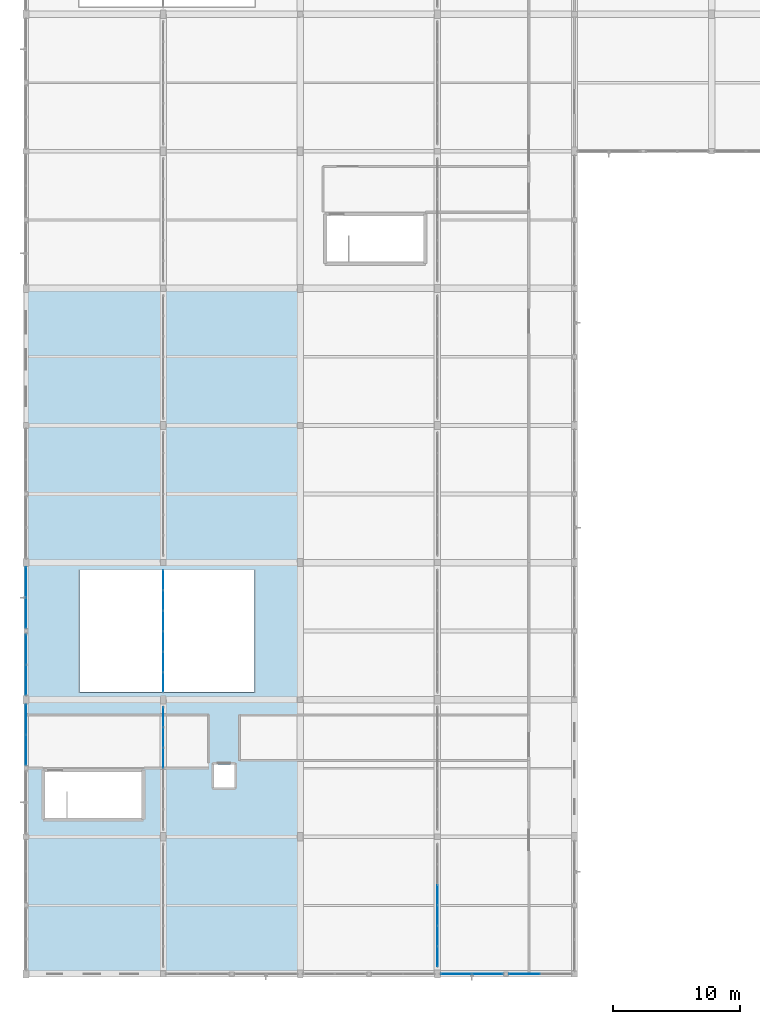
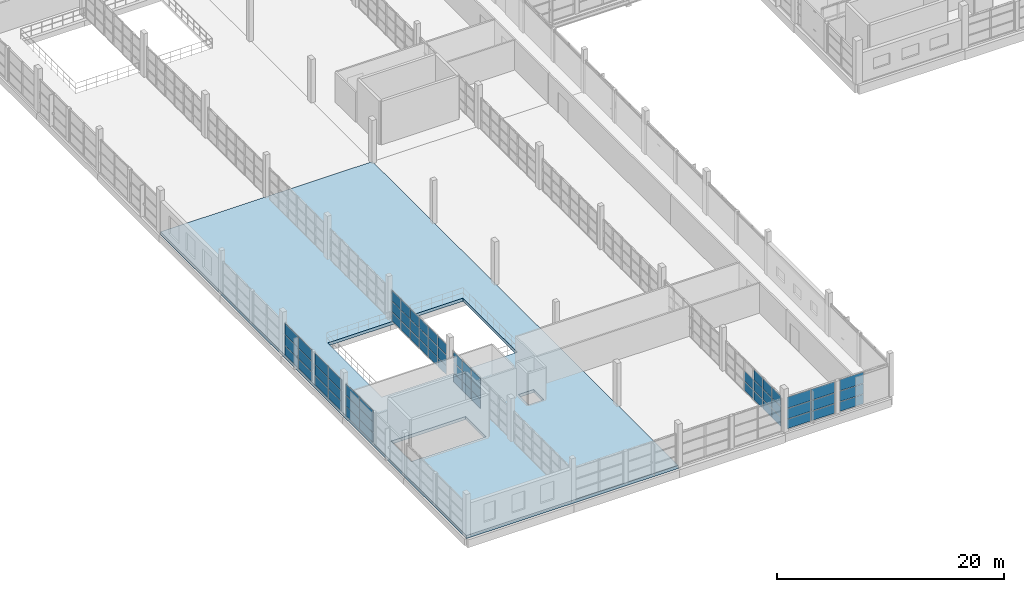
# One storey, part 81 of 142: 65 plates, 1 slab, 8 elements without a shape of their own.
"""IFC4 building model written with IfcOpenShell, lengths in metres."""

from ifc_helpers import new_model, si_unit, direction, frame, origin, origin_2d, place, context, subcontext, project, spatial, polyline, rectangle, outline, extrude, material, layer, layer_set, type_object, element, aggregate, save


model = new_model("IFC4")

# Units and contexts
model_context = context("Model", 3, precision=1e-05, world=origin(), true_north=direction((0.0, 1.0)))
body_context = subcontext(model_context, "Body", "Model", "MODEL_VIEW")
ifc_project = project(units=[si_unit("LENGTHUNIT", "METRE"), si_unit("AREAUNIT", "SQUARE_METRE"), si_unit("VOLUMEUNIT", "CUBIC_METRE"), si_unit("PLANEANGLEUNIT", "RADIAN"), si_unit("MASSUNIT", "GRAM", prefix="KILO")], contexts=[model_context])

# Site, building, storey
site_placement = place(None, origin())
site = spatial("IfcSite", under=ifc_project, at=site_placement, CompositionType="ELEMENT")
building_placement = place(site_placement, origin())
building = spatial("IfcBuilding", under=site, at=building_placement, Name="Zwinboog Wholesale Market", CompositionType="ELEMENT")
storey_placement = place(building_placement, frame((0.0, 0.0, 5.39990234375)))
storey = spatial("IfcBuildingStorey", under=building, at=storey_placement, Name="L01", CompositionType="ELEMENT", Elevation=5.39990234375)

# Slab
ifc_material_1 = material(Name="Precast concrete C45/55", Category="concrete")
ifc_layer_1 = layer(ifc_material_1, 0.33203125)
ifc_layer_set_1 = layer_set([ifc_layer_1], Name="Precast concrete C45/55")
slab_type = type_object("IfcSlabType", Name="SLT-FL-332", PredefinedType="FLOOR", material=ifc_layer_set_1)
slab_placement = place(storey_placement, frame((0.0, 0.0, -0.331787109375)))
element("IfcSlab", 1, at=slab_placement, inside=storey, type_object=slab_type, Name="SF-332 (SLB-L01-030)", PredefinedType="FLOOR", context=body_context, shape_type="SweptSolid", body=[
    extrude(outline(polyline([(0.0, 0.0), (21.60009765625, 0.0), (21.60009765625, 54.0), (0.0, 54.0), (0.0, 0.0)]), holes=[polyline([(4.199951171875, 22.199951171875), (18.0, 22.199951171875), (18.0, 31.800048828125), (4.199951171875, 31.800048828125), (4.199951171875, 22.199951171875)]), polyline([(1.5, 12.300048828125), (9.10009765625, 12.300048828125), (9.10009765625, 15.89990234375), (1.5, 15.89990234375), (1.5, 12.300048828125)]), polyline([(14.800048828125, 14.699951171875), (16.39990234375, 14.699951171875), (16.39990234375, 16.5), (14.800048828125, 16.5), (14.800048828125, 14.699951171875)])]), origin(), (0.0, 0.0, 1.0), 0.331787109375),
])

# Curtain wall, plates
ifc_material_2 = material(Name="Aluminium thermally broken curtain wall", Category="aluminium")
curtain_wall_type_1 = type_object("IfcCurtainWallType", Name="CWT-GAL-16", PredefinedType="USERDEFINED", material=ifc_material_2)
curtain_wall_1_placement = place(storey_placement, origin())
curtain_wall_1 = element("IfcCurtainWall", 2, at=curtain_wall_1_placement, inside=storey, type_object=curtain_wall_type_1, Name="CW-04 (CW-L01-052)", ObjectType="UNITIZED_CURTAIN_WALL", PredefinedType="USERDEFINED")
ifc_material_3 = material(Name="Double low-e insulated glazing", Category="glass")
ifc_layer_2 = layer(ifc_material_3, 0.031982421875)
ifc_layer_set_2 = layer_set([ifc_layer_2], Name="Double low-e insulated glazing")
plate_type_1 = type_object("IfcPlateType", Name="CWP-IGU-32", PredefinedType="CURTAIN_PANEL", material=ifc_layer_set_2)
plate_1_placement = place(storey_placement, frame((0.0, 17.635009765625, 0.06005859375), z_axis=(0.0, 0.0, 1.0), x_axis=(0.0, 1.0, 0.0)))
plate_1 = element("IfcPlate", 3, at=plate_1_placement, type_object=plate_type_1, Name="CW-04 panel 1.1", PredefinedType="CURTAIN_PANEL", context=body_context, shape_type="SweptSolid", body=[
    extrude(rectangle(XDim=2.35009765625, YDim=0.031982421875, at=origin_2d()), origin(), (0.0, 0.0, 1.0), 1.010009765625),
])
plate_2_placement = place(storey_placement, frame((0.0, 17.635009765625, 1.1298828125), z_axis=(0.0, 0.0, 1.0), x_axis=(0.0, 1.0, 0.0)))
plate_2 = element("IfcPlate", 4, at=plate_2_placement, type_object=plate_type_1, Name="CW-04 panel 1.2", PredefinedType="CURTAIN_PANEL", context=body_context, shape_type="SweptSolid", body=[
    extrude(rectangle(XDim=2.35009765625, YDim=0.031982421875, at=origin_2d()), origin(), (0.0, 0.0, 1.0), 1.090087890625),
])
plate_3_placement = place(storey_placement, frame((0.0, 17.635009765625, 2.280029296875), z_axis=(0.0, 0.0, 1.0), x_axis=(0.0, 1.0, 0.0)))
plate_3 = element("IfcPlate", 5, at=plate_3_placement, type_object=plate_type_1, Name="CW-04 panel 1.3", PredefinedType="CURTAIN_PANEL", context=body_context, shape_type="SweptSolid", body=[
    extrude(rectangle(XDim=2.35009765625, YDim=0.031982421875, at=origin_2d()), origin(), (0.0, 0.0, 1.0), 1.18994140625),
])
plate_4_placement = place(storey_placement, frame((0.0, 20.044921875, 0.06005859375), z_axis=(0.0, 0.0, 1.0), x_axis=(0.0, 1.0, 0.0)))
plate_4 = element("IfcPlate", 6, at=plate_4_placement, type_object=plate_type_1, Name="CW-04 panel 2.1", PredefinedType="CURTAIN_PANEL", context=body_context, shape_type="SweptSolid", body=[
    extrude(rectangle(XDim=2.35009765625, YDim=0.031982421875, at=origin_2d()), origin(), (0.0, 0.0, 1.0), 1.010009765625),
])
plate_5_placement = place(storey_placement, frame((0.0, 20.044921875, 1.1298828125), z_axis=(0.0, 0.0, 1.0), x_axis=(0.0, 1.0, 0.0)))
plate_5 = element("IfcPlate", 7, at=plate_5_placement, type_object=plate_type_1, Name="CW-04 panel 2.2", PredefinedType="CURTAIN_PANEL", context=body_context, shape_type="SweptSolid", body=[
    extrude(rectangle(XDim=2.35009765625, YDim=0.031982421875, at=origin_2d()), origin(), (0.0, 0.0, 1.0), 1.090087890625),
])
plate_6_placement = place(storey_placement, frame((0.0, 20.044921875, 2.280029296875), z_axis=(0.0, 0.0, 1.0), x_axis=(0.0, 1.0, 0.0)))
plate_6 = element("IfcPlate", 8, at=plate_6_placement, type_object=plate_type_1, Name="CW-04 panel 2.3", PredefinedType="CURTAIN_PANEL", context=body_context, shape_type="SweptSolid", body=[
    extrude(rectangle(XDim=2.35009765625, YDim=0.031982421875, at=origin_2d()), origin(), (0.0, 0.0, 1.0), 1.18994140625),
])
aggregate(curtain_wall_1, [plate_1, plate_2, plate_3, plate_4, plate_5, plate_6])

curtain_wall_type_2 = type_object("IfcCurtainWallType", Name="CWT-CAFE-22", PredefinedType="USERDEFINED", material=ifc_material_2)
curtain_wall_2_placement = place(storey_placement, origin())
curtain_wall_2 = element("IfcCurtainWall", 9, at=curtain_wall_2_placement, inside=storey, type_object=curtain_wall_type_2, Name="CW-05 (CW-L01-053)", ObjectType="STOREFRONT_GLAZING", PredefinedType="USERDEFINED")
plate_7_placement = place(storey_placement, frame((0.0, 23.15625, 0.065185546875), z_axis=(0.0, 0.0, 1.0), x_axis=(0.0, 1.0, 0.0)))
plate_7 = element("IfcPlate", 10, at=plate_7_placement, type_object=plate_type_1, Name="CW-05 panel 1.1", PredefinedType="CURTAIN_PANEL", context=body_context, shape_type="SweptSolid", body=[
    extrude(rectangle(XDim=2.342529296875, YDim=0.031982421875, at=origin_2d()), origin(), (0.0, 0.0, 1.0), 1.00244140625),
])
plate_8_placement = place(storey_placement, frame((0.0, 23.15625, 1.132568359375), z_axis=(0.0, 0.0, 1.0), x_axis=(0.0, 1.0, 0.0)))
plate_8 = element("IfcPlate", 11, at=plate_8_placement, type_object=plate_type_1, Name="CW-05 panel 1.2", PredefinedType="CURTAIN_PANEL", context=body_context, shape_type="SweptSolid", body=[
    extrude(rectangle(XDim=2.342529296875, YDim=0.031982421875, at=origin_2d()), origin(), (0.0, 0.0, 1.0), 1.0849609375),
])
plate_9_placement = place(storey_placement, frame((0.0, 23.15625, 2.282470703125), z_axis=(0.0, 0.0, 1.0), x_axis=(0.0, 1.0, 0.0)))
plate_9 = element("IfcPlate", 12, at=plate_9_placement, type_object=plate_type_1, Name="CW-05 panel 1.3", PredefinedType="CURTAIN_PANEL", context=body_context, shape_type="SweptSolid", body=[
    extrude(rectangle(XDim=2.342529296875, YDim=0.031982421875, at=origin_2d()), origin(), (0.0, 0.0, 1.0), 1.1826171875),
])
plate_10_placement = place(storey_placement, frame((0.0, 25.563720703125, 0.065185546875), z_axis=(0.0, 0.0, 1.0), x_axis=(0.0, 1.0, 0.0)))
plate_10 = element("IfcPlate", 13, at=plate_10_placement, type_object=plate_type_1, Name="CW-05 panel 2.1", PredefinedType="CURTAIN_PANEL", context=body_context, shape_type="SweptSolid", body=[
    extrude(rectangle(XDim=2.342529296875, YDim=0.031982421875, at=origin_2d()), origin(), (0.0, 0.0, 1.0), 1.00244140625),
])
plate_11_placement = place(storey_placement, frame((0.0, 25.563720703125, 1.132568359375), z_axis=(0.0, 0.0, 1.0), x_axis=(0.0, 1.0, 0.0)))
plate_11 = element("IfcPlate", 14, at=plate_11_placement, type_object=plate_type_1, Name="CW-05 panel 2.2", PredefinedType="CURTAIN_PANEL", context=body_context, shape_type="SweptSolid", body=[
    extrude(rectangle(XDim=2.342529296875, YDim=0.031982421875, at=origin_2d()), origin(), (0.0, 0.0, 1.0), 1.0849609375),
])
plate_12_placement = place(storey_placement, frame((0.0, 25.563720703125, 2.282470703125), z_axis=(0.0, 0.0, 1.0), x_axis=(0.0, 1.0, 0.0)))
plate_12 = element("IfcPlate", 15, at=plate_12_placement, type_object=plate_type_1, Name="CW-05 panel 2.3", PredefinedType="CURTAIN_PANEL", context=body_context, shape_type="SweptSolid", body=[
    extrude(rectangle(XDim=2.342529296875, YDim=0.031982421875, at=origin_2d()), origin(), (0.0, 0.0, 1.0), 1.1826171875),
])
aggregate(curtain_wall_2, [plate_7, plate_8, plate_9, plate_10, plate_11, plate_12])

curtain_wall_type_3 = type_object("IfcCurtainWallType", Name="CWT-OFF-15", PredefinedType="USERDEFINED", material=ifc_material_2)
curtain_wall_3_placement = place(storey_placement, origin())
curtain_wall_3 = element("IfcCurtainWall", 16, at=curtain_wall_3_placement, inside=storey, type_object=curtain_wall_type_3, Name="CW-06 (CW-L01-054)", ObjectType="UNITIZED_CURTAIN_WALL", PredefinedType="USERDEFINED")
plate_13_placement = place(storey_placement, frame((0.0, 28.43505859375, 0.06005859375), z_axis=(0.0, 0.0, 1.0), x_axis=(0.0, 1.0, 0.0)))
plate_13 = element("IfcPlate", 17, at=plate_13_placement, type_object=plate_type_1, Name="CW-06 panel 1.1", PredefinedType="CURTAIN_PANEL", context=body_context, shape_type="SweptSolid", body=[
    extrude(rectangle(XDim=2.35009765625, YDim=0.031982421875, at=origin_2d()), origin(), (0.0, 0.0, 1.0), 1.010009765625),
])
plate_14_placement = place(storey_placement, frame((0.0, 28.43505859375, 1.1298828125), z_axis=(0.0, 0.0, 1.0), x_axis=(0.0, 1.0, 0.0)))
plate_14 = element("IfcPlate", 18, at=plate_14_placement, type_object=plate_type_1, Name="CW-06 panel 1.2", PredefinedType="CURTAIN_PANEL", context=body_context, shape_type="SweptSolid", body=[
    extrude(rectangle(XDim=2.35009765625, YDim=0.031982421875, at=origin_2d()), origin(), (0.0, 0.0, 1.0), 1.090087890625),
])
plate_15_placement = place(storey_placement, frame((0.0, 28.43505859375, 2.280029296875), z_axis=(0.0, 0.0, 1.0), x_axis=(0.0, 1.0, 0.0)))
plate_15 = element("IfcPlate", 19, at=plate_15_placement, type_object=plate_type_1, Name="CW-06 panel 1.3", PredefinedType="CURTAIN_PANEL", context=body_context, shape_type="SweptSolid", body=[
    extrude(rectangle(XDim=2.35009765625, YDim=0.031982421875, at=origin_2d()), origin(), (0.0, 0.0, 1.0), 1.18994140625),
])
plate_16_placement = place(storey_placement, frame((0.0, 30.844970703125, 0.06005859375), z_axis=(0.0, 0.0, 1.0), x_axis=(0.0, 1.0, 0.0)))
plate_16 = element("IfcPlate", 20, at=plate_16_placement, type_object=plate_type_1, Name="CW-06 panel 2.1", PredefinedType="CURTAIN_PANEL", context=body_context, shape_type="SweptSolid", body=[
    extrude(rectangle(XDim=2.35009765625, YDim=0.031982421875, at=origin_2d()), origin(), (0.0, 0.0, 1.0), 1.010009765625),
])
plate_17_placement = place(storey_placement, frame((0.0, 30.844970703125, 1.1298828125), z_axis=(0.0, 0.0, 1.0), x_axis=(0.0, 1.0, 0.0)))
plate_17 = element("IfcPlate", 21, at=plate_17_placement, type_object=plate_type_1, Name="CW-06 panel 2.2", PredefinedType="CURTAIN_PANEL", context=body_context, shape_type="SweptSolid", body=[
    extrude(rectangle(XDim=2.35009765625, YDim=0.031982421875, at=origin_2d()), origin(), (0.0, 0.0, 1.0), 1.090087890625),
])
plate_18_placement = place(storey_placement, frame((0.0, 30.844970703125, 2.280029296875), z_axis=(0.0, 0.0, 1.0), x_axis=(0.0, 1.0, 0.0)))
plate_18 = element("IfcPlate", 22, at=plate_18_placement, type_object=plate_type_1, Name="CW-06 panel 2.3", PredefinedType="CURTAIN_PANEL", context=body_context, shape_type="SweptSolid", body=[
    extrude(rectangle(XDim=2.35009765625, YDim=0.031982421875, at=origin_2d()), origin(), (0.0, 0.0, 1.0), 1.18994140625),
])
aggregate(curtain_wall_3, [plate_13, plate_14, plate_15, plate_16, plate_17, plate_18])

curtain_wall_type_4 = type_object("IfcCurtainWallType", Name="CWT-HALL-24", PredefinedType="USERDEFINED", material=ifc_material_2)
curtain_wall_4_placement = place(storey_placement, origin())
curtain_wall_4 = element("IfcCurtainWall", 23, at=curtain_wall_4_placement, inside=storey, type_object=curtain_wall_type_4, Name="CW-03 (CW-L01-069)", ObjectType="UNITIZED_CURTAIN_WALL", PredefinedType="USERDEFINED")
plate_19_placement = place(storey_placement, frame((33.88134765625, 0.0, 0.065185546875), z_axis=(0.0, 0.0, 1.0), x_axis=(1.0, 0.0, 0.0)))
plate_19 = element("IfcPlate", 24, at=plate_19_placement, type_object=plate_type_1, Name="CW-03 panel 1.1", PredefinedType="CURTAIN_PANEL", context=body_context, shape_type="SweptSolid", body=[
    extrude(rectangle(XDim=2.392578125, YDim=0.031982421875, at=origin_2d()), origin(), (0.0, 0.0, 1.0), 1.00244140625),
])
plate_20_placement = place(storey_placement, frame((33.88134765625, 0.0, 1.132568359375), z_axis=(0.0, 0.0, 1.0), x_axis=(1.0, 0.0, 0.0)))
plate_20 = element("IfcPlate", 25, at=plate_20_placement, type_object=plate_type_1, Name="CW-03 panel 1.2", PredefinedType="CURTAIN_PANEL", context=body_context, shape_type="SweptSolid", body=[
    extrude(rectangle(XDim=2.392578125, YDim=0.031982421875, at=origin_2d()), origin(), (0.0, 0.0, 1.0), 1.0849609375),
])
plate_21_placement = place(storey_placement, frame((33.88134765625, 0.0, 2.282470703125), z_axis=(0.0, 0.0, 1.0), x_axis=(1.0, 0.0, 0.0)))
plate_21 = element("IfcPlate", 26, at=plate_21_placement, type_object=plate_type_1, Name="CW-03 panel 1.3", PredefinedType="CURTAIN_PANEL", context=body_context, shape_type="SweptSolid", body=[
    extrude(rectangle(XDim=2.392578125, YDim=0.031982421875, at=origin_2d()), origin(), (0.0, 0.0, 1.0), 1.1826171875),
])
plate_22_placement = place(storey_placement, frame((36.3388671875, 0.0, 0.065185546875), z_axis=(0.0, 0.0, 1.0), x_axis=(1.0, 0.0, 0.0)))
plate_22 = element("IfcPlate", 27, at=plate_22_placement, type_object=plate_type_1, Name="CW-03 panel 2.1", PredefinedType="CURTAIN_PANEL", context=body_context, shape_type="SweptSolid", body=[
    extrude(rectangle(XDim=2.392578125, YDim=0.031982421875, at=origin_2d()), origin(), (0.0, 0.0, 1.0), 1.00244140625),
])
plate_23_placement = place(storey_placement, frame((36.3388671875, 0.0, 1.132568359375), z_axis=(0.0, 0.0, 1.0), x_axis=(1.0, 0.0, 0.0)))
plate_23 = element("IfcPlate", 28, at=plate_23_placement, type_object=plate_type_1, Name="CW-03 panel 2.2", PredefinedType="CURTAIN_PANEL", context=body_context, shape_type="SweptSolid", body=[
    extrude(rectangle(XDim=2.392578125, YDim=0.031982421875, at=origin_2d()), origin(), (0.0, 0.0, 1.0), 1.0849609375),
])
plate_24_placement = place(storey_placement, frame((36.3388671875, 0.0, 2.282470703125), z_axis=(0.0, 0.0, 1.0), x_axis=(1.0, 0.0, 0.0)))
plate_24 = element("IfcPlate", 29, at=plate_24_placement, type_object=plate_type_1, Name="CW-03 panel 2.3", PredefinedType="CURTAIN_PANEL", context=body_context, shape_type="SweptSolid", body=[
    extrude(rectangle(XDim=2.392578125, YDim=0.031982421875, at=origin_2d()), origin(), (0.0, 0.0, 1.0), 1.1826171875),
])
aggregate(curtain_wall_4, [plate_19, plate_20, plate_21, plate_22, plate_23, plate_24])

curtain_wall_5_placement = place(storey_placement, origin())
curtain_wall_5 = element("IfcCurtainWall", 30, at=curtain_wall_5_placement, inside=storey, type_object=curtain_wall_type_1, Name="CW-04 (CW-L01-070)", ObjectType="UNITIZED_CURTAIN_WALL", PredefinedType="USERDEFINED")
plate_25_placement = place(storey_placement, frame((39.260009765625, 0.0, 0.06005859375), z_axis=(0.0, 0.0, 1.0), x_axis=(1.0, 0.0, 0.0)))
plate_25 = element("IfcPlate", 31, at=plate_25_placement, type_object=plate_type_1, Name="CW-04 panel 1.1", PredefinedType="CURTAIN_PANEL", context=body_context, shape_type="SweptSolid", body=[
    extrude(rectangle(XDim=2.39990234375, YDim=0.031982421875, at=origin_2d()), origin(), (0.0, 0.0, 1.0), 1.010009765625),
])
plate_26_placement = place(storey_placement, frame((39.260009765625, 0.0, 1.1298828125), z_axis=(0.0, 0.0, 1.0), x_axis=(1.0, 0.0, 0.0)))
plate_26 = element("IfcPlate", 32, at=plate_26_placement, type_object=plate_type_1, Name="CW-04 panel 1.2", PredefinedType="CURTAIN_PANEL", context=body_context, shape_type="SweptSolid", body=[
    extrude(rectangle(XDim=2.39990234375, YDim=0.031982421875, at=origin_2d()), origin(), (0.0, 0.0, 1.0), 1.090087890625),
])
plate_27_placement = place(storey_placement, frame((39.260009765625, 0.0, 2.280029296875), z_axis=(0.0, 0.0, 1.0), x_axis=(1.0, 0.0, 0.0)))
plate_27 = element("IfcPlate", 33, at=plate_27_placement, type_object=plate_type_1, Name="CW-04 panel 1.3", PredefinedType="CURTAIN_PANEL", context=body_context, shape_type="SweptSolid", body=[
    extrude(rectangle(XDim=2.39990234375, YDim=0.031982421875, at=origin_2d()), origin(), (0.0, 0.0, 1.0), 1.18994140625),
])
aggregate(curtain_wall_5, [plate_25, plate_26, plate_27])

curtain_wall_type_5 = type_object("IfcCurtainWallType", Name="CWT-INT-STALL", PredefinedType="USERDEFINED", material=ifc_material_2)
curtain_wall_6_placement = place(storey_placement, origin())
curtain_wall_6 = element("IfcCurtainWall", 34, at=curtain_wall_6_placement, inside=storey, type_object=curtain_wall_type_5, Name="CW-07 (CW-STL-256)", ObjectType="STOREFRONT_GLAZING", PredefinedType="USERDEFINED")
ifc_material_4 = material(Name="Tempered laminated market stall glazing", Category="glass")
ifc_layer_3 = layer(ifc_material_4, 0.01611328125)
ifc_layer_set_3 = layer_set([ifc_layer_3], Name="Tempered laminated market stall glazing")
plate_type_2 = type_object("IfcPlateType", Name="CWP-INT-16", PredefinedType="CURTAIN_PANEL", material=ifc_layer_set_3)
plate_28_placement = place(storey_placement, frame((10.800048828125, 17.00830078125, 0.06005859375), z_axis=(0.0, 0.0, 1.0), x_axis=(0.0, 1.0, 0.0)))
plate_28 = element("IfcPlate", 35, at=plate_28_placement, type_object=plate_type_2, Name="CW-07 panel 4.1", PredefinedType="CURTAIN_PANEL", context=body_context, shape_type="SweptSolid", body=[
    extrude(rectangle(XDim=1.556640625, YDim=0.01611328125, at=origin_2d()), origin(), (0.0, 0.0, 1.0), 0.9599609375),
])
plate_29_placement = place(storey_placement, frame((10.800048828125, 17.00830078125, 1.080078125), z_axis=(0.0, 0.0, 1.0), x_axis=(0.0, 1.0, 0.0)))
plate_29 = element("IfcPlate", 36, at=plate_29_placement, type_object=plate_type_2, Name="CW-07 panel 4.2", PredefinedType="CURTAIN_PANEL", context=body_context, shape_type="SweptSolid", body=[
    extrude(rectangle(XDim=1.556640625, YDim=0.01611328125, at=origin_2d()), origin(), (0.0, 0.0, 1.0), 1.090087890625),
])
plate_30_placement = place(storey_placement, frame((10.800048828125, 17.00830078125, 2.22998046875), z_axis=(0.0, 0.0, 1.0), x_axis=(0.0, 1.0, 0.0)))
plate_30 = element("IfcPlate", 37, at=plate_30_placement, type_object=plate_type_2, Name="CW-07 panel 4.3", PredefinedType="CURTAIN_PANEL", context=body_context, shape_type="SweptSolid", body=[
    extrude(rectangle(XDim=1.556640625, YDim=0.01611328125, at=origin_2d()), origin(), (0.0, 0.0, 1.0), 1.110107421875),
])
plate_31_placement = place(storey_placement, frame((10.800048828125, 18.625, 0.06005859375), z_axis=(0.0, 0.0, 1.0), x_axis=(0.0, 1.0, 0.0)))
plate_31 = element("IfcPlate", 38, at=plate_31_placement, type_object=plate_type_2, Name="CW-07 panel 5.1", PredefinedType="CURTAIN_PANEL", context=body_context, shape_type="SweptSolid", body=[
    extrude(rectangle(XDim=1.556640625, YDim=0.01611328125, at=origin_2d()), origin(), (0.0, 0.0, 1.0), 0.9599609375),
])
plate_32_placement = place(storey_placement, frame((10.800048828125, 18.625, 1.080078125), z_axis=(0.0, 0.0, 1.0), x_axis=(0.0, 1.0, 0.0)))
plate_32 = element("IfcPlate", 39, at=plate_32_placement, type_object=plate_type_2, Name="CW-07 panel 5.2", PredefinedType="CURTAIN_PANEL", context=body_context, shape_type="SweptSolid", body=[
    extrude(rectangle(XDim=1.556640625, YDim=0.01611328125, at=origin_2d()), origin(), (0.0, 0.0, 1.0), 1.090087890625),
])
plate_33_placement = place(storey_placement, frame((10.800048828125, 18.625, 2.22998046875), z_axis=(0.0, 0.0, 1.0), x_axis=(0.0, 1.0, 0.0)))
plate_33 = element("IfcPlate", 40, at=plate_33_placement, type_object=plate_type_2, Name="CW-07 panel 5.3", PredefinedType="CURTAIN_PANEL", context=body_context, shape_type="SweptSolid", body=[
    extrude(rectangle(XDim=1.556640625, YDim=0.01611328125, at=origin_2d()), origin(), (0.0, 0.0, 1.0), 1.110107421875),
])
plate_34_placement = place(storey_placement, frame((10.800048828125, 20.2265625, 0.06005859375), z_axis=(0.0, 0.0, 1.0), x_axis=(0.0, 1.0, 0.0)))
plate_34 = element("IfcPlate", 41, at=plate_34_placement, type_object=plate_type_2, Name="CW-07 panel 6.1", PredefinedType="CURTAIN_PANEL", context=body_context, shape_type="SweptSolid", body=[
    extrude(rectangle(XDim=1.526611328125, YDim=0.01611328125, at=origin_2d()), origin(), (0.0, 0.0, 1.0), 0.9599609375),
])
plate_35_placement = place(storey_placement, frame((10.800048828125, 20.2265625, 1.080078125), z_axis=(0.0, 0.0, 1.0), x_axis=(0.0, 1.0, 0.0)))
plate_35 = element("IfcPlate", 42, at=plate_35_placement, type_object=plate_type_2, Name="CW-07 panel 6.2", PredefinedType="CURTAIN_PANEL", context=body_context, shape_type="SweptSolid", body=[
    extrude(rectangle(XDim=1.526611328125, YDim=0.01611328125, at=origin_2d()), origin(), (0.0, 0.0, 1.0), 1.090087890625),
])
plate_36_placement = place(storey_placement, frame((10.800048828125, 20.2265625, 2.22998046875), z_axis=(0.0, 0.0, 1.0), x_axis=(0.0, 1.0, 0.0)))
plate_36 = element("IfcPlate", 43, at=plate_36_placement, type_object=plate_type_2, Name="CW-07 panel 6.3", PredefinedType="CURTAIN_PANEL", context=body_context, shape_type="SweptSolid", body=[
    extrude(rectangle(XDim=1.526611328125, YDim=0.01611328125, at=origin_2d()), origin(), (0.0, 0.0, 1.0), 1.110107421875),
])
aggregate(curtain_wall_6, [plate_28, plate_29, plate_30, plate_31, plate_32, plate_33, plate_34, plate_35, plate_36])

curtain_wall_7_placement = place(storey_placement, origin())
curtain_wall_7 = element("IfcCurtainWall", 44, at=curtain_wall_7_placement, inside=storey, type_object=curtain_wall_type_5, Name="CW-07 (CW-STL-257)", ObjectType="STOREFRONT_GLAZING", PredefinedType="USERDEFINED")
plate_37_placement = place(storey_placement, frame((10.800048828125, 22.973388671875, 0.06005859375), z_axis=(0.0, 0.0, 1.0), x_axis=(0.0, 1.0, 0.0)))
plate_37 = element("IfcPlate", 45, at=plate_37_placement, type_object=plate_type_2, Name="CW-07 panel 1.1", PredefinedType="CURTAIN_PANEL", context=body_context, shape_type="SweptSolid", body=[
    extrude(rectangle(XDim=1.526611328125, YDim=0.01611328125, at=origin_2d()), origin(), (0.0, 0.0, 1.0), 0.9599609375),
])
plate_38_placement = place(storey_placement, frame((10.800048828125, 22.973388671875, 1.080078125), z_axis=(0.0, 0.0, 1.0), x_axis=(0.0, 1.0, 0.0)))
plate_38 = element("IfcPlate", 46, at=plate_38_placement, type_object=plate_type_2, Name="CW-07 panel 1.2", PredefinedType="CURTAIN_PANEL", context=body_context, shape_type="SweptSolid", body=[
    extrude(rectangle(XDim=1.526611328125, YDim=0.01611328125, at=origin_2d()), origin(), (0.0, 0.0, 1.0), 1.090087890625),
])
plate_39_placement = place(storey_placement, frame((10.800048828125, 22.973388671875, 2.22998046875), z_axis=(0.0, 0.0, 1.0), x_axis=(0.0, 1.0, 0.0)))
plate_39 = element("IfcPlate", 47, at=plate_39_placement, type_object=plate_type_2, Name="CW-07 panel 1.3", PredefinedType="CURTAIN_PANEL", context=body_context, shape_type="SweptSolid", body=[
    extrude(rectangle(XDim=1.526611328125, YDim=0.01611328125, at=origin_2d()), origin(), (0.0, 0.0, 1.0), 1.110107421875),
])
plate_40_placement = place(storey_placement, frame((10.800048828125, 24.574951171875, 0.06005859375), z_axis=(0.0, 0.0, 1.0), x_axis=(0.0, 1.0, 0.0)))
plate_40 = element("IfcPlate", 48, at=plate_40_placement, type_object=plate_type_2, Name="CW-07 panel 2.1", PredefinedType="CURTAIN_PANEL", context=body_context, shape_type="SweptSolid", body=[
    extrude(rectangle(XDim=1.556640625, YDim=0.01611328125, at=origin_2d()), origin(), (0.0, 0.0, 1.0), 0.9599609375),
])
plate_41_placement = place(storey_placement, frame((10.800048828125, 24.574951171875, 1.080078125), z_axis=(0.0, 0.0, 1.0), x_axis=(0.0, 1.0, 0.0)))
plate_41 = element("IfcPlate", 49, at=plate_41_placement, type_object=plate_type_2, Name="CW-07 panel 2.2", PredefinedType="CURTAIN_PANEL", context=body_context, shape_type="SweptSolid", body=[
    extrude(rectangle(XDim=1.556640625, YDim=0.01611328125, at=origin_2d()), origin(), (0.0, 0.0, 1.0), 1.090087890625),
])
plate_42_placement = place(storey_placement, frame((10.800048828125, 24.574951171875, 2.22998046875), z_axis=(0.0, 0.0, 1.0), x_axis=(0.0, 1.0, 0.0)))
plate_42 = element("IfcPlate", 50, at=plate_42_placement, type_object=plate_type_2, Name="CW-07 panel 2.3", PredefinedType="CURTAIN_PANEL", context=body_context, shape_type="SweptSolid", body=[
    extrude(rectangle(XDim=1.556640625, YDim=0.01611328125, at=origin_2d()), origin(), (0.0, 0.0, 1.0), 1.110107421875),
])
plate_43_placement = place(storey_placement, frame((10.800048828125, 26.191650390625, 0.06005859375), z_axis=(0.0, 0.0, 1.0), x_axis=(0.0, 1.0, 0.0)))
plate_43 = element("IfcPlate", 51, at=plate_43_placement, type_object=plate_type_2, Name="CW-07 panel 3.1", PredefinedType="CURTAIN_PANEL", context=body_context, shape_type="SweptSolid", body=[
    extrude(rectangle(XDim=1.556640625, YDim=0.01611328125, at=origin_2d()), origin(), (0.0, 0.0, 1.0), 0.9599609375),
])
plate_44_placement = place(storey_placement, frame((10.800048828125, 26.191650390625, 1.080078125), z_axis=(0.0, 0.0, 1.0), x_axis=(0.0, 1.0, 0.0)))
plate_44 = element("IfcPlate", 52, at=plate_44_placement, type_object=plate_type_2, Name="CW-07 panel 3.2", PredefinedType="CURTAIN_PANEL", context=body_context, shape_type="SweptSolid", body=[
    extrude(rectangle(XDim=1.556640625, YDim=0.01611328125, at=origin_2d()), origin(), (0.0, 0.0, 1.0), 1.090087890625),
])
plate_45_placement = place(storey_placement, frame((10.800048828125, 26.191650390625, 2.22998046875), z_axis=(0.0, 0.0, 1.0), x_axis=(0.0, 1.0, 0.0)))
plate_45 = element("IfcPlate", 53, at=plate_45_placement, type_object=plate_type_2, Name="CW-07 panel 3.3", PredefinedType="CURTAIN_PANEL", context=body_context, shape_type="SweptSolid", body=[
    extrude(rectangle(XDim=1.556640625, YDim=0.01611328125, at=origin_2d()), origin(), (0.0, 0.0, 1.0), 1.110107421875),
])
plate_46_placement = place(storey_placement, frame((10.800048828125, 27.808349609375, 0.06005859375), z_axis=(0.0, 0.0, 1.0), x_axis=(0.0, 1.0, 0.0)))
plate_46 = element("IfcPlate", 54, at=plate_46_placement, type_object=plate_type_2, Name="CW-07 panel 4.1", PredefinedType="CURTAIN_PANEL", context=body_context, shape_type="SweptSolid", body=[
    extrude(rectangle(XDim=1.556640625, YDim=0.01611328125, at=origin_2d()), origin(), (0.0, 0.0, 1.0), 0.9599609375),
])
plate_47_placement = place(storey_placement, frame((10.800048828125, 27.808349609375, 1.080078125), z_axis=(0.0, 0.0, 1.0), x_axis=(0.0, 1.0, 0.0)))
plate_47 = element("IfcPlate", 55, at=plate_47_placement, type_object=plate_type_2, Name="CW-07 panel 4.2", PredefinedType="CURTAIN_PANEL", context=body_context, shape_type="SweptSolid", body=[
    extrude(rectangle(XDim=1.556640625, YDim=0.01611328125, at=origin_2d()), origin(), (0.0, 0.0, 1.0), 1.090087890625),
])
plate_48_placement = place(storey_placement, frame((10.800048828125, 27.808349609375, 2.22998046875), z_axis=(0.0, 0.0, 1.0), x_axis=(0.0, 1.0, 0.0)))
plate_48 = element("IfcPlate", 56, at=plate_48_placement, type_object=plate_type_2, Name="CW-07 panel 4.3", PredefinedType="CURTAIN_PANEL", context=body_context, shape_type="SweptSolid", body=[
    extrude(rectangle(XDim=1.556640625, YDim=0.01611328125, at=origin_2d()), origin(), (0.0, 0.0, 1.0), 1.110107421875),
])
plate_49_placement = place(storey_placement, frame((10.800048828125, 29.425048828125, 0.06005859375), z_axis=(0.0, 0.0, 1.0), x_axis=(0.0, 1.0, 0.0)))
plate_49 = element("IfcPlate", 57, at=plate_49_placement, type_object=plate_type_2, Name="CW-07 panel 5.1", PredefinedType="CURTAIN_PANEL", context=body_context, shape_type="SweptSolid", body=[
    extrude(rectangle(XDim=1.556640625, YDim=0.01611328125, at=origin_2d()), origin(), (0.0, 0.0, 1.0), 0.9599609375),
])
plate_50_placement = place(storey_placement, frame((10.800048828125, 29.425048828125, 1.080078125), z_axis=(0.0, 0.0, 1.0), x_axis=(0.0, 1.0, 0.0)))
plate_50 = element("IfcPlate", 58, at=plate_50_placement, type_object=plate_type_2, Name="CW-07 panel 5.2", PredefinedType="CURTAIN_PANEL", context=body_context, shape_type="SweptSolid", body=[
    extrude(rectangle(XDim=1.556640625, YDim=0.01611328125, at=origin_2d()), origin(), (0.0, 0.0, 1.0), 1.090087890625),
])
plate_51_placement = place(storey_placement, frame((10.800048828125, 29.425048828125, 2.22998046875), z_axis=(0.0, 0.0, 1.0), x_axis=(0.0, 1.0, 0.0)))
plate_51 = element("IfcPlate", 59, at=plate_51_placement, type_object=plate_type_2, Name="CW-07 panel 5.3", PredefinedType="CURTAIN_PANEL", context=body_context, shape_type="SweptSolid", body=[
    extrude(rectangle(XDim=1.556640625, YDim=0.01611328125, at=origin_2d()), origin(), (0.0, 0.0, 1.0), 1.110107421875),
])
plate_52_placement = place(storey_placement, frame((10.800048828125, 31.026611328125, 0.06005859375), z_axis=(0.0, 0.0, 1.0), x_axis=(0.0, 1.0, 0.0)))
plate_52 = element("IfcPlate", 60, at=plate_52_placement, type_object=plate_type_2, Name="CW-07 panel 6.1", PredefinedType="CURTAIN_PANEL", context=body_context, shape_type="SweptSolid", body=[
    extrude(rectangle(XDim=1.526611328125, YDim=0.01611328125, at=origin_2d()), origin(), (0.0, 0.0, 1.0), 0.9599609375),
])
plate_53_placement = place(storey_placement, frame((10.800048828125, 31.026611328125, 1.080078125), z_axis=(0.0, 0.0, 1.0), x_axis=(0.0, 1.0, 0.0)))
plate_53 = element("IfcPlate", 61, at=plate_53_placement, type_object=plate_type_2, Name="CW-07 panel 6.2", PredefinedType="CURTAIN_PANEL", context=body_context, shape_type="SweptSolid", body=[
    extrude(rectangle(XDim=1.526611328125, YDim=0.01611328125, at=origin_2d()), origin(), (0.0, 0.0, 1.0), 1.090087890625),
])
plate_54_placement = place(storey_placement, frame((10.800048828125, 31.026611328125, 2.22998046875), z_axis=(0.0, 0.0, 1.0), x_axis=(0.0, 1.0, 0.0)))
plate_54 = element("IfcPlate", 62, at=plate_54_placement, type_object=plate_type_2, Name="CW-07 panel 6.3", PredefinedType="CURTAIN_PANEL", context=body_context, shape_type="SweptSolid", body=[
    extrude(rectangle(XDim=1.526611328125, YDim=0.01611328125, at=origin_2d()), origin(), (0.0, 0.0, 1.0), 1.110107421875),
])
aggregate(curtain_wall_7, [plate_37, plate_38, plate_39, plate_40, plate_41, plate_42, plate_43, plate_44, plate_45, plate_46, plate_47, plate_48, plate_49, plate_50, plate_51, plate_52, plate_53, plate_54])

curtain_wall_8_placement = place(storey_placement, origin())
curtain_wall_8 = element("IfcCurtainWall", 63, at=curtain_wall_8_placement, inside=storey, type_object=curtain_wall_type_5, Name="CW-07 (CW-STL-263)", ObjectType="STOREFRONT_GLAZING", PredefinedType="USERDEFINED")
plate_55_placement = place(storey_placement, frame((32.39990234375, 1.373291015625, 0.06005859375), z_axis=(0.0, 0.0, 1.0), x_axis=(0.0, 1.0, 0.0)))
plate_55 = element("IfcPlate", 64, at=plate_55_placement, type_object=plate_type_2, Name="CW-07 panel 1.1", PredefinedType="CURTAIN_PANEL", context=body_context, shape_type="SweptSolid", body=[
    extrude(rectangle(XDim=1.526611328125, YDim=0.01611328125, at=origin_2d()), origin(), (0.0, 0.0, 1.0), 0.9599609375),
])
plate_56_placement = place(storey_placement, frame((32.39990234375, 1.373291015625, 1.080078125), z_axis=(0.0, 0.0, 1.0), x_axis=(0.0, 1.0, 0.0)))
plate_56 = element("IfcPlate", 65, at=plate_56_placement, type_object=plate_type_2, Name="CW-07 panel 1.2", PredefinedType="CURTAIN_PANEL", context=body_context, shape_type="SweptSolid", body=[
    extrude(rectangle(XDim=1.526611328125, YDim=0.01611328125, at=origin_2d()), origin(), (0.0, 0.0, 1.0), 1.090087890625),
])
plate_57_placement = place(storey_placement, frame((32.39990234375, 1.373291015625, 2.22998046875), z_axis=(0.0, 0.0, 1.0), x_axis=(0.0, 1.0, 0.0)))
plate_57 = element("IfcPlate", 66, at=plate_57_placement, type_object=plate_type_2, Name="CW-07 panel 1.3", PredefinedType="CURTAIN_PANEL", context=body_context, shape_type="SweptSolid", body=[
    extrude(rectangle(XDim=1.526611328125, YDim=0.01611328125, at=origin_2d()), origin(), (0.0, 0.0, 1.0), 1.110107421875),
])
plate_58_placement = place(storey_placement, frame((32.39990234375, 2.97509765625, 0.06005859375), z_axis=(0.0, 0.0, 1.0), x_axis=(0.0, 1.0, 0.0)))
plate_58 = element("IfcPlate", 67, at=plate_58_placement, type_object=plate_type_2, Name="CW-07 panel 2.1", PredefinedType="CURTAIN_PANEL", context=body_context, shape_type="SweptSolid", body=[
    extrude(rectangle(XDim=1.556640625, YDim=0.01611328125, at=origin_2d()), origin(), (0.0, 0.0, 1.0), 0.9599609375),
])
plate_59_placement = place(storey_placement, frame((32.39990234375, 2.97509765625, 1.080078125), z_axis=(0.0, 0.0, 1.0), x_axis=(0.0, 1.0, 0.0)))
plate_59 = element("IfcPlate", 68, at=plate_59_placement, type_object=plate_type_2, Name="CW-07 panel 2.2", PredefinedType="CURTAIN_PANEL", context=body_context, shape_type="SweptSolid", body=[
    extrude(rectangle(XDim=1.556640625, YDim=0.01611328125, at=origin_2d()), origin(), (0.0, 0.0, 1.0), 1.090087890625),
])
plate_60_placement = place(storey_placement, frame((32.39990234375, 2.97509765625, 2.22998046875), z_axis=(0.0, 0.0, 1.0), x_axis=(0.0, 1.0, 0.0)))
plate_60 = element("IfcPlate", 69, at=plate_60_placement, type_object=plate_type_2, Name="CW-07 panel 2.3", PredefinedType="CURTAIN_PANEL", context=body_context, shape_type="SweptSolid", body=[
    extrude(rectangle(XDim=1.556640625, YDim=0.01611328125, at=origin_2d()), origin(), (0.0, 0.0, 1.0), 1.110107421875),
])
plate_61_placement = place(storey_placement, frame((32.39990234375, 4.591552734375, 0.06005859375), z_axis=(0.0, 0.0, 1.0), x_axis=(0.0, 1.0, 0.0)))
plate_61 = element("IfcPlate", 70, at=plate_61_placement, type_object=plate_type_2, Name="CW-07 panel 3.1", PredefinedType="CURTAIN_PANEL", context=body_context, shape_type="SweptSolid", body=[
    extrude(rectangle(XDim=1.556640625, YDim=0.01611328125, at=origin_2d()), origin(), (0.0, 0.0, 1.0), 0.9599609375),
])
plate_62_placement = place(storey_placement, frame((32.39990234375, 4.591552734375, 1.080078125), z_axis=(0.0, 0.0, 1.0), x_axis=(0.0, 1.0, 0.0)))
plate_62 = element("IfcPlate", 71, at=plate_62_placement, type_object=plate_type_2, Name="CW-07 panel 3.2", PredefinedType="CURTAIN_PANEL", context=body_context, shape_type="SweptSolid", body=[
    extrude(rectangle(XDim=1.556640625, YDim=0.01611328125, at=origin_2d()), origin(), (0.0, 0.0, 1.0), 1.090087890625),
])
plate_63_placement = place(storey_placement, frame((32.39990234375, 4.591552734375, 2.22998046875), z_axis=(0.0, 0.0, 1.0), x_axis=(0.0, 1.0, 0.0)))
plate_63 = element("IfcPlate", 72, at=plate_63_placement, type_object=plate_type_2, Name="CW-07 panel 3.3", PredefinedType="CURTAIN_PANEL", context=body_context, shape_type="SweptSolid", body=[
    extrude(rectangle(XDim=1.556640625, YDim=0.01611328125, at=origin_2d()), origin(), (0.0, 0.0, 1.0), 1.110107421875),
])
plate_64_placement = place(storey_placement, frame((32.39990234375, 6.208251953125, 0.06005859375), z_axis=(0.0, 0.0, 1.0), x_axis=(0.0, 1.0, 0.0)))
plate_64 = element("IfcPlate", 73, at=plate_64_placement, type_object=plate_type_2, Name="CW-07 panel 4.1", PredefinedType="CURTAIN_PANEL", context=body_context, shape_type="SweptSolid", body=[
    extrude(rectangle(XDim=1.556640625, YDim=0.01611328125, at=origin_2d()), origin(), (0.0, 0.0, 1.0), 0.9599609375),
])
plate_65_placement = place(storey_placement, frame((32.39990234375, 6.208251953125, 1.080078125), z_axis=(0.0, 0.0, 1.0), x_axis=(0.0, 1.0, 0.0)))
plate_65 = element("IfcPlate", 74, at=plate_65_placement, type_object=plate_type_2, Name="CW-07 panel 4.2", PredefinedType="CURTAIN_PANEL", context=body_context, shape_type="SweptSolid", body=[
    extrude(rectangle(XDim=1.556640625, YDim=0.01611328125, at=origin_2d()), origin(), (0.0, 0.0, 1.0), 1.090087890625),
])
aggregate(curtain_wall_8, [plate_55, plate_56, plate_57, plate_58, plate_59, plate_60, plate_61, plate_62, plate_63, plate_64, plate_65])

save(model, "model.ifc")
